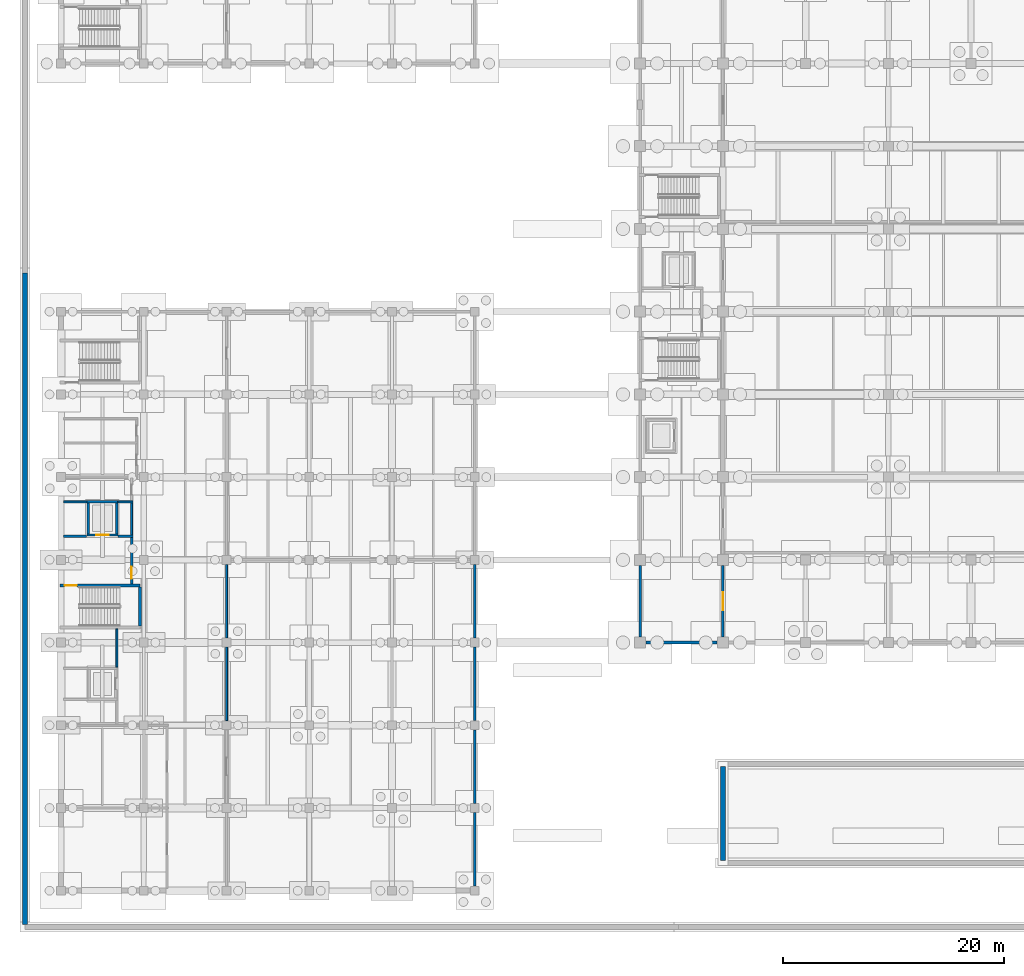
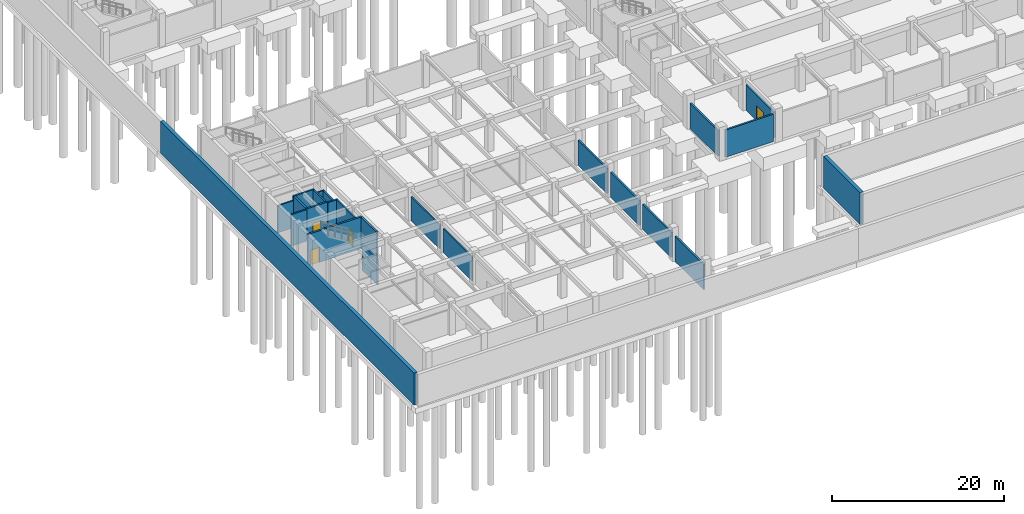
# One storey, part 22 of 38: 24 walls, 4 doors, 4 openings.
"""IFC4 building model written with IfcOpenShell, lengths in metres."""

from ifc_helpers import new_model, si_unit, direction, frame, frame_2d, origin, place, context, subcontext, project, spatial, rectangle, extrude, material, layer, layer_set, type_object, element, fill, save


model = new_model("IFC4")

# Units and contexts
model_context = context("Model", 3, precision=1e-05, world=origin(), true_north=direction((0.0, 1.0)))
body_context = subcontext(model_context, "Body", "Model", "MODEL_VIEW")
ifc_project = project(units=[si_unit("LENGTHUNIT", "METRE"), si_unit("AREAUNIT", "SQUARE_METRE"), si_unit("VOLUMEUNIT", "CUBIC_METRE"), si_unit("PLANEANGLEUNIT", "RADIAN"), si_unit("MASSUNIT", "GRAM", prefix="KILO")], contexts=[model_context])

# Site, building, storey
site_placement = place(None, origin())
site = spatial("IfcSite", under=ifc_project, at=site_placement, CompositionType="ELEMENT")
building_placement = place(site_placement, origin())
building = spatial("IfcBuilding", under=site, at=building_placement, Name="Qasida Concert Hall", CompositionType="ELEMENT")
storey_placement = place(building_placement, frame((0.0, 0.0, -4.800048828125)))
storey = spatial("IfcBuildingStorey", under=building, at=storey_placement, Name="B1", CompositionType="ELEMENT", Elevation=-4.800048828125)

# Wall, opening, door
ifc_material_1 = material(Name="Concrete C40/50", Category="concrete")
ifc_layer_1 = layer(ifc_material_1, 0.219970703125, Name="Concrete C40/50")
ifc_layer_set_1 = layer_set([ifc_layer_1], Name="Concrete C40/50")
wall_type_1 = type_object("IfcWallType", Name="WL-CW-220", PredefinedType="SOLIDWALL", material=ifc_layer_set_1)
wall_1_placement = place(storey_placement, frame((2.340087890625, 32.25, 0.0), z_axis=(0.0, 0.0, 1.0), x_axis=(1.0, 0.0, 0.0)))
wall_1 = element("IfcWall", 1, at=wall_1_placement, inside=storey, type_object=wall_type_1, Name="B1 LF-06 lift shaft wall S", PredefinedType="SOLIDWALL", context=body_context, shape_type="SweptSolid", body=[
    extrude(rectangle(XDim=2.81982421875, YDim=0.219970703125, at=frame_2d((1.409912109375, 0.0))), origin(), (0.0, 0.0, 1.0), 4.5),
])
opening_1_placement = place(wall_1_placement, frame((0.860107421875, 0.0, 0.0)))
opening_1 = element("IfcOpeningElement", 2, at=opening_1_placement, cuts=wall_1, Name="Opening LD-110", PredefinedType="OPENING", context=body_context, shape_type="SweptSolid", body=[
    extrude(rectangle(XDim=1.10009765625, YDim=2.14990234375, at=frame_2d((0.550048828125, 1.074951171875))), frame((0.0, 0.119873046875, 0.0), z_axis=(0.0, -1.0, 0.0), x_axis=(1.0, 0.0, 0.0)), (0.0, 0.0, 1.0), 0.239990234375),
])
ifc_material_2 = material(Name="Firefighting lift sliding landing door", Category="steel")
door_type_1 = type_object("IfcDoorType", Name="LD-110", OperationType="SLIDING_TO_LEFT", PredefinedType="DOOR", material=ifc_material_2)
door_1_placement = place(opening_1_placement, origin())
door_1 = element("IfcDoor", 3, at=door_1_placement, inside=storey, type_object=door_type_1, Name="Lift landing door LF-06 B1", OperationType="SLIDING_TO_LEFT", OverallHeight=2.14990234375, OverallWidth=1.10009765625, PredefinedType="DOOR", context=body_context, shape_type="SweptSolid", body=[
    extrude(rectangle(XDim=1.10009765625, YDim=2.14990234375, at=frame_2d((0.550048828125, 1.074951171875))), frame((0.0, 0.02490234375, 0.0), z_axis=(0.0, -1.0, 0.0), x_axis=(1.0, 0.0, 0.0)), (0.0, 0.0, 1.0), 0.050048828125),
])
fill(opening_1, door_1)

# Walls
wall_2_placement = place(storey_placement, frame((2.340087890625, 35.25, 0.0), z_axis=(0.0, 0.0, 1.0), x_axis=(1.0, 0.0, 0.0)))
element("IfcWall", 4, at=wall_2_placement, inside=storey, type_object=wall_type_1, Name="B1 LF-06 lift shaft wall N", PredefinedType="SOLIDWALL", context=body_context, shape_type="SweptSolid", body=[
    extrude(rectangle(XDim=2.81982421875, YDim=0.219970703125, at=frame_2d((1.409912109375, 0.0))), origin(), (0.0, 0.0, 1.0), 4.5),
])
for number, where, z_axis, x_axis, name in (
    (5, (2.449951171875, 32.360107421875, 0.0), (0.0, 0.0, 1.0), (0.0, 1.0, 0.0), "B1 LF-06 lift shaft wall W"),
    (6, (5.050048828125, 32.360107421875, 0.0), (0.0, 0.0, 1.0), (0.0, 1.0, 0.0), "B1 LF-06 lift shaft wall E"),
):
    element("IfcWall", number, at=place(storey_placement, frame(where, z_axis=z_axis, x_axis=x_axis)), inside=storey, type_object=wall_type_1, Name=name, PredefinedType="SOLIDWALL", context=body_context, shape_type="SweptSolid", body=[
        extrude(rectangle(XDim=2.77978515625, YDim=0.219970703125, at=frame_2d((1.389892578125, 0.0))), origin(), (0.0, 0.0, 1.0), 4.5),
    ])

# Wall, opening, door
wall_3_placement = place(storey_placement, frame((6.39990234375, 27.820068359375, 0.0), z_axis=(0.0, 0.0, 1.0), x_axis=(0.0, 1.0, 0.0)))
wall_3 = element("IfcWall", 7, at=wall_3_placement, inside=storey, type_object=wall_type_1, Name="B1 LF-06 firefighting lobby wall", PredefinedType="SOLIDWALL", context=body_context, shape_type="SweptSolid", body=[
    extrude(rectangle(XDim=4.309814453125, YDim=0.219970703125, at=frame_2d((2.15478515625, 0.0))), origin(), (0.0, 0.0, 1.0), 4.5),
])
opening_2_placement = place(wall_3_placement, frame((0.449951171875, 0.0, 0.0)))
opening_2 = element("IfcOpeningElement", 8, at=opening_2_placement, cuts=wall_3, Name="Opening FD-110", PredefinedType="OPENING", context=body_context, shape_type="SweptSolid", body=[
    extrude(rectangle(XDim=1.10009765625, YDim=2.14990234375, at=frame_2d((0.550048828125, 1.074951171875))), frame((0.0, 0.119873046875, 0.0), z_axis=(0.0, -1.0, 0.0), x_axis=(1.0, 0.0, 0.0)), (0.0, 0.0, 1.0), 0.239990234375),
])
ifc_material_3 = material(Name="Steel fire-rated stair/lobby door set", Category="steel")
door_type_2 = type_object("IfcDoorType", Name="FD-110", OperationType="NOTDEFINED", PredefinedType="DOOR", material=ifc_material_3)
door_2_placement = place(opening_2_placement, origin())
door_2 = element("IfcDoor", 9, at=door_2_placement, inside=storey, type_object=door_type_2, Name="B1 LF-06 firefighting lobby fire door", OperationType="SINGLE_SWING_LEFT", OverallHeight=2.14990234375, OverallWidth=1.10009765625, PredefinedType="DOOR", context=body_context, shape_type="SweptSolid", body=[
    extrude(rectangle(XDim=1.10009765625, YDim=2.14990234375, at=frame_2d((0.550048828125, 1.074951171875))), frame((0.0, 0.02490234375, 0.0), z_axis=(0.0, -1.0, 0.0), x_axis=(1.0, 0.0, 0.0)), (0.0, 0.0, 1.0), 0.050048828125),
])
fill(opening_2, door_2)

ifc_layer_2 = layer(ifc_material_1, 0.25, Name="Concrete C40/50")
ifc_layer_set_2 = layer_set([ifc_layer_2], Name="Concrete C40/50")
wall_type_2 = type_object("IfcWallType", Name="WL-CW-250", PredefinedType="SOLIDWALL", material=ifc_layer_set_2)
wall_4_placement = place(storey_placement, frame((-0.1201171875, 27.68505859375, 0.0), z_axis=(0.0, 0.0, 1.0), x_axis=(1.0, 0.0, 0.0)))
wall_4 = element("IfcWall", 10, at=wall_4_placement, inside=storey, type_object=wall_type_2, Name="B1 ST-03 stairwell wall N", PredefinedType="SOLIDWALL", context=body_context, shape_type="SweptSolid", body=[
    extrude(rectangle(XDim=7.260009765625, YDim=0.25, at=frame_2d((3.6298828125, 0.0))), origin(), (0.0, 0.0, 1.0), 4.5),
])
opening_3_placement = place(wall_4_placement, frame((0.449951171875, 0.0, 0.0)))
opening_3 = element("IfcOpeningElement", 11, at=opening_3_placement, cuts=wall_4, Name="Opening FD-110", PredefinedType="OPENING", context=body_context, shape_type="SweptSolid", body=[
    extrude(rectangle(XDim=1.10009765625, YDim=2.14990234375, at=frame_2d((0.550048828125, 1.074951171875))), frame((0.0, 0.135009765625, 0.0), z_axis=(0.0, -1.0, 0.0), x_axis=(1.0, 0.0, 0.0)), (0.0, 0.0, 1.0), 0.27001953125),
])
door_3_placement = place(opening_3_placement, origin())
door_3 = element("IfcDoor", 12, at=door_3_placement, inside=storey, type_object=door_type_2, Name="B1 ST-03 rated stair door", OperationType="SINGLE_SWING_LEFT", OverallHeight=2.14990234375, OverallWidth=1.10009765625, PredefinedType="DOOR", context=body_context, shape_type="SweptSolid", body=[
    extrude(rectangle(XDim=1.10009765625, YDim=2.14990234375, at=frame_2d((0.550048828125, 1.074951171875))), frame((0.0, 0.02490234375, 0.0), z_axis=(0.0, -1.0, 0.0), x_axis=(1.0, 0.0, 0.0)), (0.0, 0.0, 1.0), 0.050048828125),
])
fill(opening_3, door_3)

# Walls
wall_5_placement = place(storey_placement, frame((7.14501953125, 24.0, 0.0), z_axis=(0.0, 0.0, 1.0), x_axis=(0.0, 1.0, 0.0)))
element("IfcWall", 13, at=wall_5_placement, inside=storey, type_object=wall_type_2, Name="B1 ST-03 stairwell wall E", PredefinedType="SOLIDWALL", context=body_context, shape_type="SweptSolid", body=[
    extrude(rectangle(XDim=3.56005859375, YDim=0.25, at=frame_2d((1.780029296875, 0.0))), origin(), (0.0, 0.0, 1.0), 4.5),
])
ifc_material_4 = material(Name="Acoustic metal-stud gypsum partition", Category="gypsum")
ifc_layer_3 = layer(ifc_material_4, 0.179931640625, Name="Acoustic metal-stud gypsum partition")
ifc_layer_set_3 = layer_set([ifc_layer_3], Name="Acoustic metal-stud gypsum partition")
wall_type_3 = type_object("IfcWallType", Name="WL-PW-180", PredefinedType="PARTITIONING", material=ifc_layer_set_3)
wall_6_placement = place(storey_placement, frame((5.050048828125, 20.27392578125, 0.0), z_axis=(0.0, 0.0, 1.0), x_axis=(0.0, 1.0, 0.0)))
element("IfcWall", 14, at=wall_6_placement, inside=storey, type_object=wall_type_3, Name="B1 partition PW-180 0087", PredefinedType="PARTITIONING", context=body_context, shape_type="SweptSolid", body=[
    extrude(rectangle(XDim=3.462158203125, YDim=0.179931640625, at=frame_2d((1.73095703125, 0.0))), origin(), (0.0, 0.0, 1.0), 3.670166015625),
])
wall_7_placement = place(storey_placement, frame((0.239013671875, 35.25, 0.0), z_axis=(0.0, 0.0, 1.0), x_axis=(1.0, 0.0, 0.0)))
element("IfcWall", 15, at=wall_7_placement, inside=storey, type_object=wall_type_3, Name="B1 partition PW-180 0104", PredefinedType="PARTITIONING", context=body_context, shape_type="SweptSolid", body=[
    extrude(rectangle(XDim=2.10107421875, YDim=0.179931640625, at=frame_2d((1.050537109375, 0.0))), origin(), (0.0, 0.0, 1.0), 3.8701171875),
])
wall_8_placement = place(storey_placement, frame((5.159912109375, 35.25, 0.0), z_axis=(0.0, 0.0, 1.0), x_axis=(1.0, 0.0, 0.0)))
element("IfcWall", 16, at=wall_8_placement, inside=storey, type_object=wall_type_3, Name="B1 partition PW-180 0105", PredefinedType="PARTITIONING", context=body_context, shape_type="SweptSolid", body=[
    extrude(rectangle(XDim=1.340087890625, YDim=0.179931640625, at=frame_2d((0.669921875, 0.0))), origin(), (0.0, 0.0, 1.0), 3.8701171875),
])
wall_9_placement = place(storey_placement, frame((6.39990234375, 32.243896484375, 0.0), z_axis=(0.0, 0.0, 1.0), x_axis=(0.0, 1.0, 0.0)))
element("IfcWall", 17, at=wall_9_placement, inside=storey, type_object=wall_type_3, Name="B1 partition PW-180 0107", PredefinedType="PARTITIONING", context=body_context, shape_type="SweptSolid", body=[
    extrude(rectangle(XDim=2.902099609375, YDim=0.179931640625, at=frame_2d((1.451171875, 0.0))), origin(), (0.0, 0.0, 1.0), 3.8701171875),
])
for number, where, z_axis, x_axis, name in (
    (18, (15.0, 15.4140625, 0.0), (0.0, 0.0, 1.0), (0.0, 1.0, 0.0), "B1 partition PW-180 0169"),
    (19, (15.0, 22.9140625, 0.0), (0.0, 0.0, 1.0), (0.0, 1.0, 0.0), "B1 partition PW-180 0170"),
):
    element("IfcWall", number, at=place(storey_placement, frame(where, z_axis=z_axis, x_axis=x_axis)), inside=storey, type_object=wall_type_3, Name=name, PredefinedType="PARTITIONING", context=body_context, shape_type="SweptSolid", body=[
        extrude(rectangle(XDim=6.671875, YDim=0.179931640625, at=frame_2d((3.3359375, 0.0))), origin(), (0.0, 0.0, 1.0), 3.420166015625),
    ])
ifc_material_5 = material(Name="Acoustic gypsum block and mineral wool", Category="gypsum")
ifc_layer_4 = layer(ifc_material_5, 0.199951171875, Name="Acoustic gypsum block and mineral wool")
ifc_layer_set_4 = layer_set([ifc_layer_4], Name="Acoustic gypsum block and mineral wool")
wall_type_4 = type_object("IfcWallType", Name="WL-PW-200", PredefinedType="PARTITIONING", material=ifc_layer_set_4)
wall_10_placement = place(storey_placement, frame((0.239990234375, 32.1298828125, 0.0), z_axis=(0.0, 0.0, 1.0), x_axis=(1.0, 0.0, 0.0)))
element("IfcWall", 20, at=wall_10_placement, inside=storey, type_object=wall_type_4, Name="B1 LF-06 firefighting lobby return wall", PredefinedType="PARTITIONING", context=body_context, shape_type="SweptSolid", body=[
    extrude(rectangle(XDim=2.0849609375, YDim=0.199951171875, at=frame_2d((1.04248046875, 0.0))), origin(), (0.0, 0.0, 1.0), 4.47998046875),
])
wall_11_placement = place(storey_placement, frame((5.175048828125, 32.1298828125, 0.0), z_axis=(0.0, 0.0, 1.0), x_axis=(1.0, 0.0, 0.0)))
element("IfcWall", 21, at=wall_11_placement, inside=storey, type_object=wall_type_4, Name="B1 LF-06 firefighting lobby return wall", PredefinedType="PARTITIONING", context=body_context, shape_type="SweptSolid", body=[
    extrude(rectangle(XDim=1.3349609375, YDim=0.199951171875, at=frame_2d((0.66748046875, 0.0))), origin(), (0.0, 0.0, 1.0), 4.47998046875),
])
ifc_material_6 = material(Name="Double-stud acoustic gypsum and mineral wool", Category="gypsum")
ifc_layer_5 = layer(ifc_material_6, 0.239990234375, Name="Double-stud acoustic gypsum and mineral wool")
ifc_layer_set_5 = layer_set([ifc_layer_5], Name="Double-stud acoustic gypsum and mineral wool")
wall_type_5 = type_object("IfcWallType", Name="WL-PW-240", PredefinedType="PARTITIONING", material=ifc_layer_set_5)
for number, where, z_axis, x_axis, name in (
    (22, (37.5, 0.4140625, 0.0), (0.0, 0.0, 1.0), (0.0, 1.0, 0.0), "B1 partition PW-240 0006"),
    (23, (37.5, 7.9140625, 0.0), (0.0, 0.0, 1.0), (0.0, 1.0, 0.0), "B1 partition PW-240 0007"),
    (24, (37.5, 15.4140625, 0.0), (0.0, 0.0, 1.0), (0.0, 1.0, 0.0), "B1 partition PW-240 0008"),
    (25, (37.5, 22.9140625, 0.0), (0.0, 0.0, 1.0), (0.0, 1.0, 0.0), "B1 partition PW-240 0009"),
):
    element("IfcWall", number, at=place(storey_placement, frame(where, z_axis=z_axis, x_axis=x_axis)), inside=storey, type_object=wall_type_5, Name=name, PredefinedType="PARTITIONING", context=body_context, shape_type="SweptSolid", body=[
        extrude(rectangle(XDim=6.671875, YDim=0.239990234375, at=frame_2d((3.3359375, 0.0))), origin(), (0.0, 0.0, 1.0), 3.570068359375),
    ])
wall_12_placement = place(storey_placement, frame((53.013916015625, 22.5, 0.0), z_axis=(0.0, 0.0, 1.0), x_axis=(1.0, 0.0, 0.0)))
element("IfcWall", 26, at=wall_12_placement, inside=storey, type_object=wall_type_5, Name="B1 partition PW-240 0023", PredefinedType="PARTITIONING", context=body_context, shape_type="SweptSolid", body=[
    extrude(rectangle(XDim=6.47216796875, YDim=0.239990234375, at=frame_2d((3.236083984375, 0.0))), origin(), (0.0, 0.0, 1.0), 3.8701171875),
])
wall_13_placement = place(storey_placement, frame((52.5, 23.013916015625, 0.0), z_axis=(0.0, 0.0, 1.0), x_axis=(0.0, 1.0, 0.0)))
element("IfcWall", 27, at=wall_13_placement, inside=storey, type_object=wall_type_5, Name="B1 partition PW-240 0039", PredefinedType="PARTITIONING", context=body_context, shape_type="SweptSolid", body=[
    extrude(rectangle(XDim=6.47216796875, YDim=0.239990234375, at=frame_2d((3.236083984375, 0.0))), origin(), (0.0, 0.0, 1.0), 3.6201171875),
])

# Wall, opening, door
wall_14_placement = place(storey_placement, frame((60.0, 23.013916015625, 0.0), z_axis=(0.0, 0.0, 1.0), x_axis=(0.0, 1.0, 0.0)))
wall_14 = element("IfcWall", 28, at=wall_14_placement, inside=storey, type_object=wall_type_5, Name="B1 partition PW-240 0397", PredefinedType="PARTITIONING", context=body_context, shape_type="SweptSolid", body=[
    extrude(rectangle(XDim=6.47216796875, YDim=0.239990234375, at=frame_2d((3.236083984375, 0.0))), origin(), (0.0, 0.0, 1.0), 3.6201171875),
])
opening_4_placement = place(wall_14_placement, frame((2.43603515625, 0.0, 0.0)))
opening_4 = element("IfcOpeningElement", 29, at=opening_4_placement, cuts=wall_14, Name="Opening FD-160", PredefinedType="OPENING", context=body_context, shape_type="SweptSolid", body=[
    extrude(rectangle(XDim=1.60009765625, YDim=2.14990234375, at=frame_2d((0.800048828125, 1.074951171875))), frame((0.0, 0.1298828125, 0.0), z_axis=(0.0, -1.0, 0.0), x_axis=(1.0, 0.0, 0.0)), (0.0, 0.0, 1.0), 0.260009765625),
])
ifc_material_7 = material(Name="Double-leaf acoustic fire door", Category="steel")
door_type_3 = type_object("IfcDoorType", Name="FD-160", OperationType="NOTDEFINED", PredefinedType="DOOR", material=ifc_material_7)
door_4_placement = place(opening_4_placement, origin())
door_4 = element("IfcDoor", 30, at=door_4_placement, inside=storey, type_object=door_type_3, Name="B1 Chiller plant west fire door", OperationType="SINGLE_SWING_RIGHT", OverallHeight=2.14990234375, OverallWidth=1.60009765625, PredefinedType="DOOR", context=body_context, shape_type="SweptSolid", body=[
    extrude(rectangle(XDim=1.60009765625, YDim=2.14990234375, at=frame_2d((0.800048828125, 1.074951171875))), frame((0.0, 0.02490234375, 0.0), z_axis=(0.0, -1.0, 0.0), x_axis=(1.0, 0.0, 0.0)), (0.0, 0.0, 1.0), 0.050048828125),
])
fill(opening_4, door_4)

# Walls
ifc_layer_6 = layer(ifc_material_1, 0.449951171875, Name="Concrete C40/50")
ifc_layer_set_6 = layer_set([ifc_layer_6], Name="Concrete C40/50")
wall_type_6 = type_object("IfcWallType", Name="WL-RW-450", PredefinedType="USERDEFINED", material=ifc_layer_set_6)
wall_15_placement = place(storey_placement, frame((-3.27490234375, -3.050048828125, 0.0), z_axis=(0.0, 0.0, 1.0), x_axis=(0.0, 1.0, 0.0)))
element("IfcWall", 31, at=wall_15_placement, inside=storey, type_object=wall_type_6, Name="B1 civic plaza plinth retaining wall PLW-W1", ObjectType="RETAININGWALL", PredefinedType="USERDEFINED", context=body_context, shape_type="SweptSolid", body=[
    extrude(rectangle(XDim=59.050048828125, YDim=0.449951171875, at=frame_2d((29.52490234375, 0.0))), origin(), (0.0, 0.0, 1.0), 4.550048828125),
])
wall_16_placement = place(storey_placement, frame((60.0, 2.72509765625, 0.0), z_axis=(0.0, 0.0, 1.0), x_axis=(0.0, 1.0, 0.0)))
element("IfcWall", 32, at=wall_16_placement, inside=storey, type_object=wall_type_6, Name="B1 civic plaza plinth retaining wall MFW-W", ObjectType="RETAININGWALL", PredefinedType="USERDEFINED", context=body_context, shape_type="SweptSolid", body=[
    extrude(rectangle(XDim=8.5498046875, YDim=0.449951171875, at=frame_2d((4.27490234375, 0.0))), origin(), (0.0, 0.0, 1.0), 4.550048828125),
])

save(model, "model.ifc")
